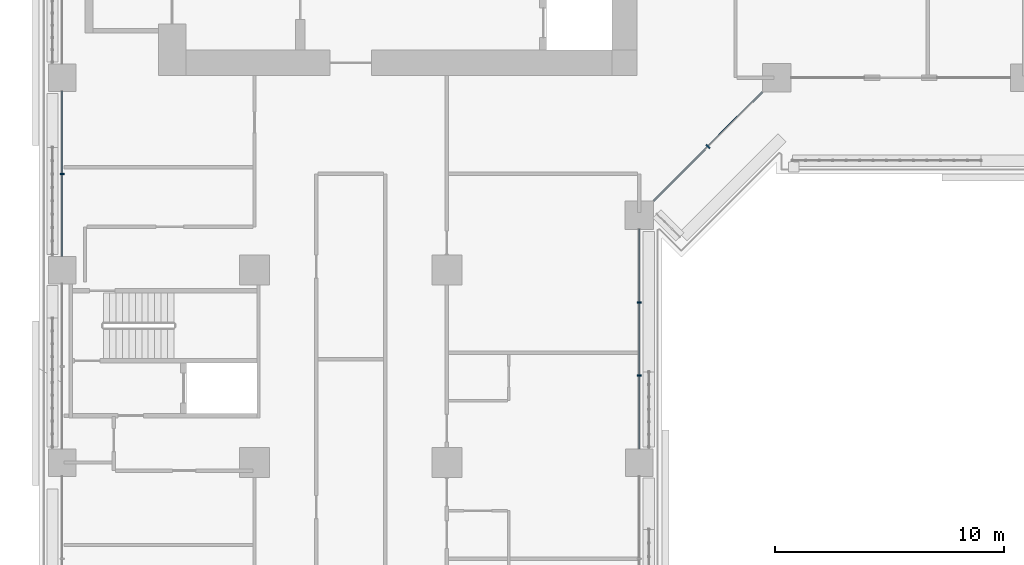
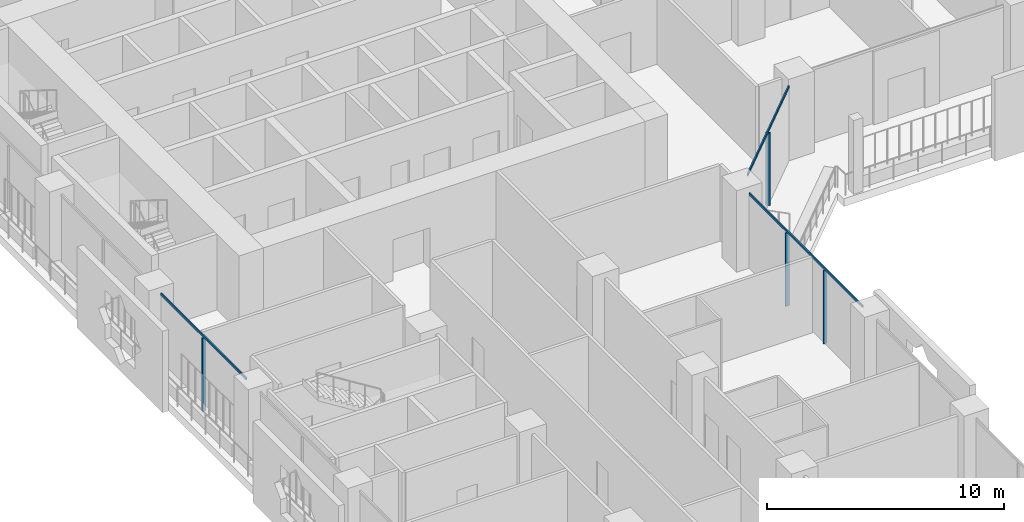
# One storey, part 4 of 28: 7 members, 3 elements without a shape of their own.
"""IFC4 building model written with IfcOpenShell, lengths in metres."""

from ifc_helpers import new_model, si_unit, direction, frame, origin, origin_2d, place, context, subcontext, project, spatial, rectangle, extrude, material, layer, layer_set, material_profile, profile_set, type_object, element, aggregate, save


model = new_model("IFC4")

# Units and contexts
model_context = context("Model", 3, precision=1e-05, world=origin(), true_north=direction((0.0, 1.0)))
body_context = subcontext(model_context, "Body", "Model", "MODEL_VIEW")
ifc_project = project(units=[si_unit("LENGTHUNIT", "METRE"), si_unit("AREAUNIT", "SQUARE_METRE"), si_unit("VOLUMEUNIT", "CUBIC_METRE"), si_unit("PLANEANGLEUNIT", "RADIAN"), si_unit("MASSUNIT", "GRAM", prefix="KILO")], contexts=[model_context])

# Site, building, storey
site_placement = place(None, origin())
site = spatial("IfcSite", under=ifc_project, at=site_placement, CompositionType="ELEMENT")
building_placement = place(site_placement, origin())
building = spatial("IfcBuilding", under=site, at=building_placement, Name="Kawkab Arch Medical Tower", CompositionType="ELEMENT")
storey_placement = place(building_placement, frame((0.0, 0.0, 72.800048828125)))
storey = spatial("IfcBuildingStorey", under=building, at=storey_placement, Name="L16", CompositionType="ELEMENT", Elevation=72.800048828125)

# Curtain wall, member
ifc_material_1 = material(Name="Bronze anodised aluminium curtain wall frame", Category="aluminium")
ifc_layer_1 = layer(ifc_material_1, 0.159912109375)
ifc_layer_set_1 = layer_set([ifc_layer_1], Name="Bronze anodised aluminium curtain wall frame")
curtain_wall_type_1 = type_object("IfcCurtainWallType", Name="CW1 ward curtain wall", PredefinedType="NOTDEFINED", material=ifc_layer_set_1)
placement = place(storey_placement, origin())
curtain_wall_1 = element("IfcCurtainWall", 1, at=placement, inside=storey, type_object=curtain_wall_type_1, Name="CW1 Ward curtain wall R01", PredefinedType="NOTDEFINED")
ifc_material_2 = material(Name="Bronze anodised aluminium curtain wall frame", Category="aluminium")
ifc_material_profile_1 = material_profile(ifc_material_2, rectangle(XDim=0.179931640625, YDim=0.06005859375, at=origin_2d()), Name="AL 60x180")
ifc_profile_set_1 = profile_set([ifc_material_profile_1], Name="Bronze anodised aluminium curtain wall frame")
member_type_1 = type_object("IfcMemberType", Name="CW1 mullion 60 x 180", PredefinedType="MULLION", material=ifc_profile_set_1)
member_1_placement = place(storey_placement, frame((0.0, -29.39990234375, 0.0), z_axis=(0.0, 0.0, 1.0), x_axis=(1.0, 0.0, 0.0)))
member_1 = element("IfcMember", 2, at=member_1_placement, type_object=member_type_1, Name="CW1 mullion 3.1", PredefinedType="MULLION", context=body_context, shape_type="SweptSolid", body=[
    extrude(rectangle(XDim=0.179931640625, YDim=0.06005859375, at=origin_2d()), origin(), (0.0, 0.0, 1.0), 3.780029296875),
])

# Curtain wall, members
curtain_wall_2 = element("IfcCurtainWall", 3, at=placement, inside=storey, type_object=curtain_wall_type_1, Name="CW1 Ward curtain wall R05", PredefinedType="NOTDEFINED")
member_2_placement = place(storey_placement, frame((25.199951171875, -38.208251953125, 0.0), z_axis=(0.0, 0.0, 1.0), x_axis=(-1.0, 0.0, 0.0)))
member_2 = element("IfcMember", 4, at=member_2_placement, type_object=member_type_1, Name="CW1 mullion 4.1", PredefinedType="MULLION", context=body_context, shape_type="SweptSolid", body=[
    extrude(rectangle(XDim=0.179931640625, YDim=0.06005859375, at=origin_2d()), origin(), (0.0, 0.0, 1.0), 3.780029296875),
])
member_3_placement = place(storey_placement, frame((25.199951171875, -35.0166015625, 0.0), z_axis=(0.0, 0.0, 1.0), x_axis=(-1.0, 0.0, 0.0)))
member_3 = element("IfcMember", 5, at=member_3_placement, type_object=member_type_1, Name="CW1 mullion 4.2", PredefinedType="MULLION", context=body_context, shape_type="SweptSolid", body=[
    extrude(rectangle(XDim=0.179931640625, YDim=0.06005859375, at=origin_2d()), origin(), (0.0, 0.0, 1.0), 3.780029296875),
])

# Member
ifc_material_3 = material(Name="Bronze anodised aluminium curtain wall frame", Category="aluminium")
ifc_material_profile_2 = material_profile(ifc_material_3, rectangle(XDim=0.06005859375, YDim=0.1201171875, at=origin_2d()), Name="AL 60x120")
ifc_profile_set_2 = profile_set([ifc_material_profile_2], Name="Bronze anodised aluminium curtain wall frame")
member_type_2 = type_object("IfcMemberType", Name="CW1 transom 120 x 60", PredefinedType="USERDEFINED", material=ifc_profile_set_2)
member_4_placement = place(storey_placement, frame((0.0, -25.800048828125, 3.83984375), z_axis=(0.0, -1.0, 0.0), x_axis=(1.0, 0.0, 0.0)))
member_4 = element("IfcMember", 6, at=member_4_placement, type_object=member_type_2, Name="CW1 transom 3", ObjectType="TRANSOM", PredefinedType="USERDEFINED", context=body_context, shape_type="SweptSolid", body=[
    extrude(rectangle(XDim=0.06005859375, YDim=0.1201171875, at=origin_2d()), origin(), (0.0, 0.0, 1.0), 7.199951171875),
])

aggregate(curtain_wall_1, [member_4, member_1])

member_5_placement = place(storey_placement, frame((25.199951171875, -41.39990234375, 3.83984375), z_axis=(0.0, 1.0, 0.0), x_axis=(-1.0, 0.0, 0.0)))
member_5 = element("IfcMember", 7, at=member_5_placement, type_object=member_type_2, Name="CW1 transom 4", ObjectType="TRANSOM", PredefinedType="USERDEFINED", context=body_context, shape_type="SweptSolid", body=[
    extrude(rectangle(XDim=0.06005859375, YDim=0.1201171875, at=origin_2d()), origin(), (0.0, 0.0, 1.0), 9.574951171875),
])

aggregate(curtain_wall_2, [member_5, member_2, member_3])

# Curtain wall, members
ifc_material_4 = material(Name="Bronze anodised aluminium curtain wall frame", Category="aluminium")
ifc_layer_2 = layer(ifc_material_4, 0.159912109375)
ifc_layer_set_2 = layer_set([ifc_layer_2], Name="Bronze anodised aluminium curtain wall frame")
curtain_wall_type_2 = type_object("IfcCurtainWallType", Name="CW2 chamfer curtain wall", PredefinedType="NOTDEFINED", material=ifc_layer_set_2)
curtain_wall_3 = element("IfcCurtainWall", 8, at=placement, inside=storey, type_object=curtain_wall_type_2, Name="CW2 Chamfer curtain wall R06", PredefinedType="NOTDEFINED")
ifc_material_5 = material(Name="Bronze anodised aluminium curtain wall frame", Category="aluminium")
ifc_material_profile_3 = material_profile(ifc_material_5, rectangle(XDim=0.199951171875, YDim=0.06005859375, at=origin_2d()), Name="AL 60x200")
ifc_profile_set_3 = profile_set([ifc_material_profile_3], Name="Bronze anodised aluminium curtain wall frame")
member_type_3 = type_object("IfcMemberType", Name="CW2 mullion 60 x 200", PredefinedType="MULLION", material=ifc_profile_set_3)
member_6_placement = place(storey_placement, frame((28.199951171875, -28.199951171875, 0.0), z_axis=(0.0, 0.0, 1.0), x_axis=(-0.707106781187, 0.707106781187, 0.0)))
member_6 = element("IfcMember", 9, at=member_6_placement, type_object=member_type_3, Name="CW2 mullion 1.1", PredefinedType="MULLION", context=body_context, shape_type="SweptSolid", body=[
    extrude(rectangle(XDim=0.199951171875, YDim=0.06005859375, at=origin_2d()), origin(), (0.0, 0.0, 1.0), 3.760009765625),
])
ifc_material_6 = material(Name="Bronze anodised aluminium curtain wall frame", Category="aluminium")
ifc_material_profile_4 = material_profile(ifc_material_6, rectangle(XDim=0.06005859375, YDim=0.139892578125, at=origin_2d()), Name="AL 60x140")
ifc_profile_set_4 = profile_set([ifc_material_profile_4], Name="Bronze anodised aluminium curtain wall frame")
member_type_4 = type_object("IfcMemberType", Name="CW2 transom 140 x 60", PredefinedType="USERDEFINED", material=ifc_profile_set_4)
member_7_placement = place(storey_placement, frame((25.824951171875, -30.574951171875, 3.829833984375), z_axis=(0.707106781187, 0.707106781187, 0.0), x_axis=(-0.707106781187, 0.707106781187, 0.0)))
member_7 = element("IfcMember", 10, at=member_7_placement, type_object=member_type_4, Name="CW2 transom 1", ObjectType="TRANSOM", PredefinedType="USERDEFINED", context=body_context, shape_type="SweptSolid", body=[
    extrude(rectangle(XDim=0.06005859375, YDim=0.139892578125, at=origin_2d()), origin(), (0.0, 0.0, 1.0), 6.717529296875),
])
aggregate(curtain_wall_3, [member_7, member_6])

save(model, "model.ifc")
